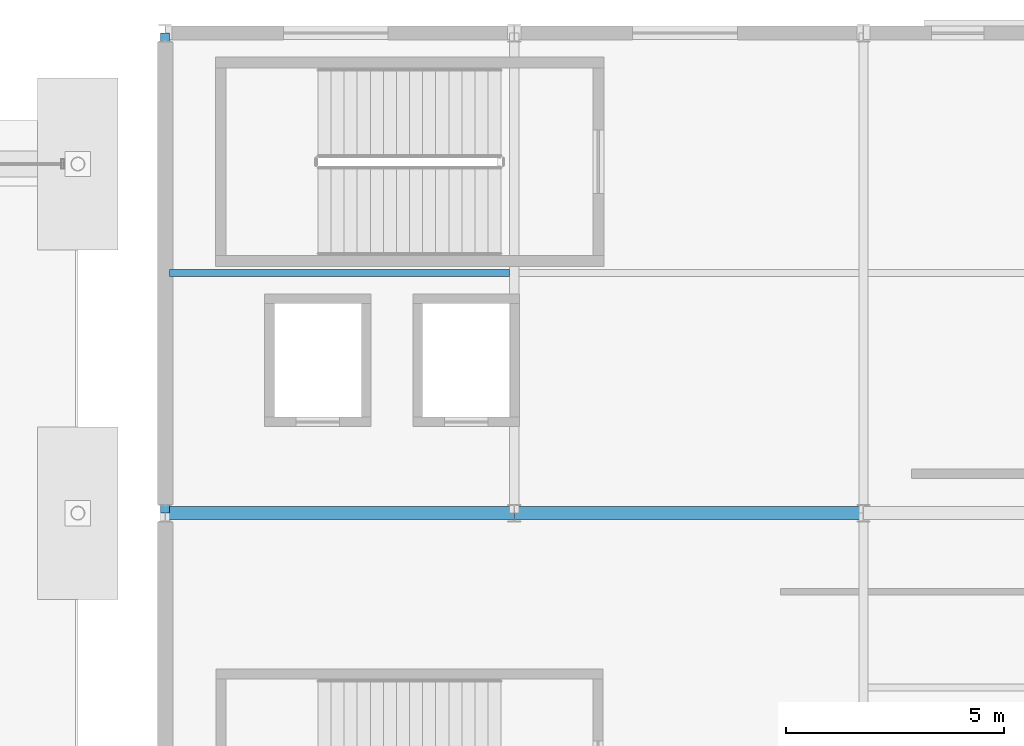
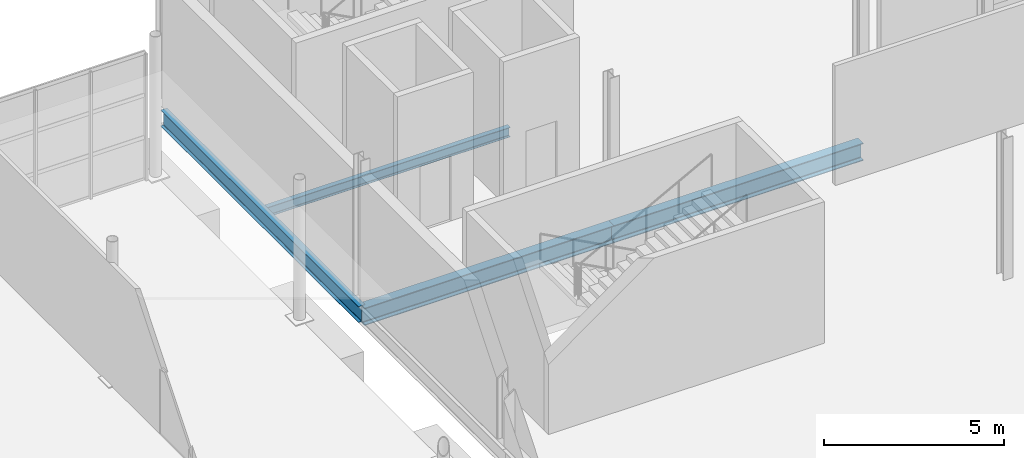
# One storey, part 54 of 101: 4 beams.
"""IFC4 building model written with IfcOpenShell, lengths in metres."""

from ifc_helpers import new_model, si_unit, derived_unit, direction, frame, origin, origin_2d, place, context, subcontext, project, spatial, i_section, extrude, material, material_profile, profile_set, type_object, element, save


model = new_model("IFC4")

# Units and contexts
model_context = context("Model", 3, precision=1e-05, world=origin(), true_north=direction((0.0, 1.0)))
body_context = subcontext(model_context, "Body", "Model", "MODEL_VIEW")
ifc_project = project(units=[si_unit("LENGTHUNIT", "METRE"), si_unit("AREAUNIT", "SQUARE_METRE"), si_unit("VOLUMEUNIT", "CUBIC_METRE"), si_unit("PLANEANGLEUNIT", "RADIAN"), si_unit("MASSUNIT", "GRAM", prefix="KILO"), derived_unit("THERMALTRANSMITTANCEUNIT", [(si_unit("POWERUNIT", "WATT"), 1), (si_unit("LENGTHUNIT", "METRE"), -2), (si_unit("THERMODYNAMICTEMPERATUREUNIT", "KELVIN"), -1)])], contexts=[model_context])

# Site, building, storey
site_placement = place(None, origin())
site = spatial("IfcSite", under=ifc_project, at=site_placement, CompositionType="ELEMENT")
building_placement = place(site_placement, origin())
building = spatial("IfcBuilding", under=site, at=building_placement, Name="Keldorne Ridge Multi-Sports Centre", CompositionType="ELEMENT")
storey_placement = place(building_placement, origin())
storey = spatial("IfcBuildingStorey", under=building, at=storey_placement, Name="L00", CompositionType="ELEMENT", Elevation=0.0)

# Beams
ifc_material = material(Name="Steel S355", Category="steel")
ifc_material_profile_1 = material_profile(ifc_material, i_section(OverallWidth=0.2099609375, OverallDepth=0.550048828125, WebThickness=0.010986328125, FlangeThickness=0.01708984375, FilletRadius=0.02392578125, at=origin_2d()), Name="IPE 550")
ifc_profile_set_1 = profile_set([ifc_material_profile_1], Name="Steel S355")
beam_type_1 = type_object("IfcBeamType", Name="BM-B-01", PredefinedType="BEAM", material=ifc_profile_set_1)
beam_1_placement = place(storey_placement, frame((104.0, 106.0, -0.544921875), z_axis=(0.0, 1.0, 0.0), x_axis=(-1.0, 0.0, 0.0)))
element("IfcBeam", 1, at=beam_1_placement, inside=storey, type_object=beam_type_1, Name="L00 primary girder 104.6", PredefinedType="BEAM", context=body_context, shape_type="SweptSolid", body=[
    extrude(i_section(OverallWidth=0.2099609375, OverallDepth=0.550048828125, WebThickness=0.010986328125, FlangeThickness=0.01708984375, FilletRadius=0.02392578125, at=origin_2d()), origin(), (0.0, 0.0, 1.0), 11.0),
])
ifc_material_profile_2 = material_profile(ifc_material, i_section(OverallWidth=0.300048828125, OverallDepth=0.590087890625, WebThickness=0.012939453125, FlangeThickness=0.02490234375, FilletRadius=0.027099609375, at=origin_2d()), Name="HEA 600")
ifc_profile_set_2 = profile_set([ifc_material_profile_2], Name="Steel S355")
beam_type_2 = type_object("IfcBeamType", Name="BM-B-06", PredefinedType="BEAM", material=ifc_profile_set_2)
for number, where, z_axis, x_axis, name in (
    (2, (104.0, 106.0, -0.56494140625), (1.0, 0.0, 0.0), (0.0, 1.0, 0.0), "L00 primary beam 1.106"),
    (3, (112.0, 106.0, -0.56494140625), (1.0, 0.0, 0.0), (0.0, 1.0, 0.0), "L00 primary beam 2.106"),
):
    element("IfcBeam", number, at=place(storey_placement, frame(where, z_axis=z_axis, x_axis=x_axis)), inside=storey, type_object=beam_type_2, Name=name, PredefinedType="BEAM", context=body_context, shape_type="SweptSolid", body=[
        extrude(i_section(OverallWidth=0.300048828125, OverallDepth=0.590087890625, WebThickness=0.012939453125, FlangeThickness=0.02490234375, FilletRadius=0.027099609375, at=origin_2d()), origin(), (0.0, 0.0, 1.0), 8.0),
    ])
ifc_material_profile_3 = material_profile(ifc_material, i_section(OverallWidth=0.159912109375, OverallDepth=0.330078125, WebThickness=0.007568359375, FlangeThickness=0.011474609375, FilletRadius=0.01806640625, at=origin_2d()), Name="IPE 330")
ifc_profile_set_3 = profile_set([ifc_material_profile_3], Name="Steel S355")
beam_type_3 = type_object("IfcBeamType", Name="BM-J-01", PredefinedType="JOIST", material=ifc_profile_set_3)
beam_2_placement = place(storey_placement, frame((104.10498046875, 111.5, -0.43505859375), z_axis=(1.0, 0.0, 0.0), x_axis=(0.0, 1.0, 0.0)))
element("IfcBeam", 4, at=beam_2_placement, inside=storey, type_object=beam_type_3, Name="L00 secondary joist 1.6", PredefinedType="JOIST", context=body_context, shape_type="SweptSolid", body=[
    extrude(i_section(OverallWidth=0.159912109375, OverallDepth=0.330078125, WebThickness=0.007568359375, FlangeThickness=0.011474609375, FilletRadius=0.01806640625, at=origin_2d()), origin(), (0.0, 0.0, 1.0), 7.7900390625),
])

save(model, "model.ifc")
